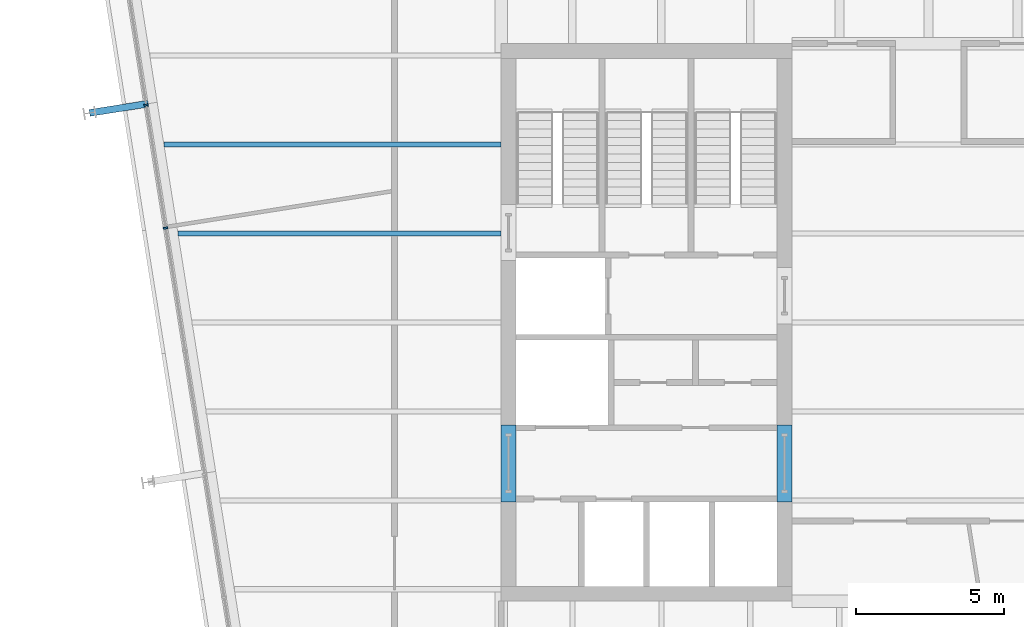
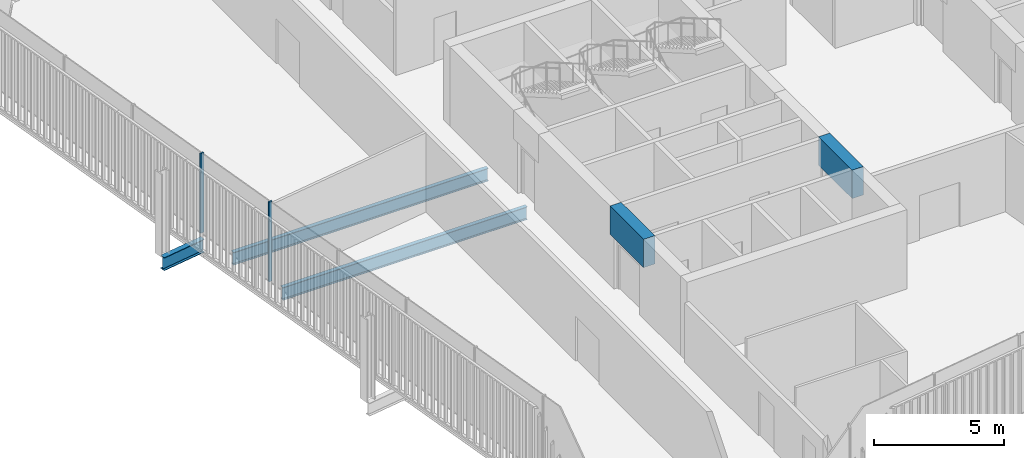
# One storey, part 6 of 20: 5 beams, 2 members, 1 element without a shape of its own.
"""IFC4 building model written with IfcOpenShell, lengths in metres."""

from ifc_helpers import new_model, si_unit, direction, frame, origin, origin_2d, place, context, subcontext, project, spatial, rectangle, i_section, extrude, material, layer, layer_set, material_profile, profile_set, type_object, element, aggregate, save


model = new_model("IFC4")

# Units and contexts
model_context = context("Model", 3, precision=1e-05, world=origin(), true_north=direction((0.0, 1.0)))
body_context = subcontext(model_context, "Body", "Model", "MODEL_VIEW")
ifc_project = project(units=[si_unit("LENGTHUNIT", "METRE"), si_unit("AREAUNIT", "SQUARE_METRE"), si_unit("VOLUMEUNIT", "CUBIC_METRE"), si_unit("PLANEANGLEUNIT", "RADIAN"), si_unit("MASSUNIT", "GRAM", prefix="KILO")], contexts=[model_context])

# Site, building, storey
site_placement = place(None, origin())
site = spatial("IfcSite", under=ifc_project, at=site_placement, CompositionType="ELEMENT")
building_placement = place(site_placement, origin())
building = spatial("IfcBuilding", under=site, at=building_placement, Name="Millrace Tower", CompositionType="ELEMENT")
storey_placement = place(building_placement, frame((0.0, 0.0, 216.39990234375)))
storey = spatial("IfcBuildingStorey", under=building, at=storey_placement, Name="L49", CompositionType="ELEMENT", Elevation=216.39990234375)

# Curtain wall, members
ifc_material_1 = material(Name="Aluminium and glass", Category="aluminium")
ifc_layer = layer(ifc_material_1, 0.14990234375)
ifc_layer_set = layer_set([ifc_layer], Name="Aluminium and glass")
curtain_wall_type = type_object("IfcCurtainWallType", Name="CW-1 office vision curtain wall", PredefinedType="NOTDEFINED", material=ifc_layer_set)
curtain_wall_placement = place(storey_placement, origin())
curtain_wall = element("IfcCurtainWall", 1, at=curtain_wall_placement, inside=storey, type_object=curtain_wall_type, Name="Curtain wall D-F08 L49", PredefinedType="NOTDEFINED")
ifc_material_2 = material(Name="Aluminium", Category="aluminium")
ifc_material_profile_1 = material_profile(ifc_material_2, rectangle(XDim=0.06494140625, YDim=0.14990234375, at=origin_2d()))
ifc_profile_set_1 = profile_set([ifc_material_profile_1], Name="Aluminium")
member_type = type_object("IfcMemberType", Name="CW-1 office vision curtain wall mullion", PredefinedType="MULLION", material=ifc_profile_set_1)
member_1_placement = place(storey_placement, frame((-26.371337890625, 7.33056640625, 0.14013671875), z_axis=(0.0, 0.0, 1.0), x_axis=(0.156434471884, -0.987688339511, 0.0)))
member_1 = element("IfcMember", 2, at=member_1_placement, type_object=member_type, Name="CW1 mullion D-F08.4", PredefinedType="MULLION", context=body_context, shape_type="SweptSolid", body=[
    extrude(rectangle(XDim=0.06494140625, YDim=0.14990234375, at=origin_2d()), origin(), (0.0, 0.0, 1.0), 3.760009765625),
])
member_2_placement = place(storey_placement, frame((-25.71435546875, 3.182373046875, 0.14013671875), z_axis=(0.0, 0.0, 1.0), x_axis=(0.156434471884, -0.987688339511, 0.0)))
member_2 = element("IfcMember", 3, at=member_2_placement, type_object=member_type, Name="CW1 mullion D-F08.5", PredefinedType="MULLION", context=body_context, shape_type="SweptSolid", body=[
    extrude(rectangle(XDim=0.06494140625, YDim=0.14990234375, at=origin_2d()), origin(), (0.0, 0.0, 1.0), 3.760009765625),
])
aggregate(curtain_wall, [member_1, member_2])

# Beams
ifc_material_3 = material(Name="Concrete C60", Category="concrete")
ifc_material_profile_2 = material_profile(ifc_material_3, rectangle(XDim=0.5, YDim=1.340087890625, at=origin_2d()))
ifc_profile_set_2 = profile_set([ifc_material_profile_2], Name="Concrete C60")
beam_type_1 = type_object("IfcBeamType", Name="Coupling beam 500 x 1340 Concrete C60, 2000 opening", PredefinedType="BEAM", material=ifc_profile_set_2)
for number, where, z_axis, x_axis, name in (
    (4, (-14.14990234375, -6.050048828125, 3.070068359375), (0.0, 1.0, 0.0), (-1.0, 0.0, 0.0), "Coupling beam W L49"),
    (5, (-4.85009765625, -6.050048828125, 3.070068359375), (0.0, 1.0, 0.0), (-1.0, 0.0, 0.0), "Coupling beam W L49"),
):
    element("IfcBeam", number, at=place(storey_placement, frame(where, z_axis=z_axis, x_axis=x_axis)), inside=storey, type_object=beam_type_1, Name=name, PredefinedType="BEAM", context=body_context, shape_type="SweptSolid", body=[
        extrude(rectangle(XDim=0.5, YDim=1.340087890625, at=origin_2d()), origin(), (0.0, 0.0, 1.0), 2.60009765625),
    ])
ifc_material_4 = material(Name="Steel ASTM A992 Grade 50", Category="steel")
ifc_material_profile_3 = material_profile(ifc_material_4, i_section(OverallWidth=0.1787109375, OverallDepth=0.60205078125, WebThickness=0.010986328125, FlangeThickness=0.014892578125, FilletRadius=0.0126953125, at=origin_2d()))
ifc_profile_set_3 = profile_set([ifc_material_profile_3], Name="Steel ASTM A992 Grade 50")
beam_type_2 = type_object("IfcBeamType", Name="Floor beam W24x62", PredefinedType="JOIST", material=ifc_profile_set_3)
beam_1_placement = place(storey_placement, frame((-25.29833984375, 3.0, -0.4609375), z_axis=(1.0, 0.0, 0.0), x_axis=(0.0, 1.0, 0.0)))
element("IfcBeam", 6, at=beam_1_placement, inside=storey, type_object=beam_type_2, Name="BM-D-L49-S1-S018", PredefinedType="JOIST", context=body_context, shape_type="SweptSolid", body=[
    extrude(i_section(OverallWidth=0.1787109375, OverallDepth=0.60205078125, WebThickness=0.010986328125, FlangeThickness=0.014892578125, FilletRadius=0.0126953125, at=origin_2d()), origin(), (0.0, 0.0, 1.0), 10.8984375),
])
beam_2_placement = place(storey_placement, frame((-25.7734375, 6.0, -0.4609375), z_axis=(1.0, 0.0, 0.0), x_axis=(0.0, 1.0, 0.0)))
element("IfcBeam", 7, at=beam_2_placement, inside=storey, type_object=beam_type_2, Name="BM-D-L49-S1-S021", PredefinedType="JOIST", context=body_context, shape_type="SweptSolid", body=[
    extrude(i_section(OverallWidth=0.1787109375, OverallDepth=0.60205078125, WebThickness=0.010986328125, FlangeThickness=0.014892578125, FilletRadius=0.0126953125, at=origin_2d()), origin(), (0.0, 0.0, 1.0), 11.37353515625),
])
ifc_material_5 = material(Name="Steel ASTM A992 Grade 50", Category="steel")
ifc_material_profile_4 = material_profile(ifc_material_5, i_section(OverallWidth=0.23046875, OverallDepth=0.6171875, WebThickness=0.01318359375, FlangeThickness=0.022216796875, FilletRadius=0.012939453125, at=origin_2d()))
ifc_profile_set_4 = profile_set([ifc_material_profile_4], Name="Steel ASTM A992 Grade 50")
beam_type_3 = type_object("IfcBeamType", Name="Link beam W24x94", PredefinedType="BEAM", material=ifc_profile_set_4)
beam_3_placement = place(storey_placement, frame((-26.302490234375, 7.37451171875, -0.468505859375), z_axis=(-0.987678691416, -0.156495375404, 0.0), x_axis=(0.156495375404, -0.987678691416, 0.0)))
element("IfcBeam", 8, at=beam_3_placement, inside=storey, type_object=beam_type_3, Name="LNK-D-L49-S1-03", PredefinedType="BEAM", context=body_context, shape_type="SweptSolid", body=[
    extrude(i_section(OverallWidth=0.23046875, OverallDepth=0.6171875, WebThickness=0.01318359375, FlangeThickness=0.022216796875, FilletRadius=0.012939453125, at=origin_2d()), origin(), (0.0, 0.0, 1.0), 2.0),
])

save(model, "model.ifc")
